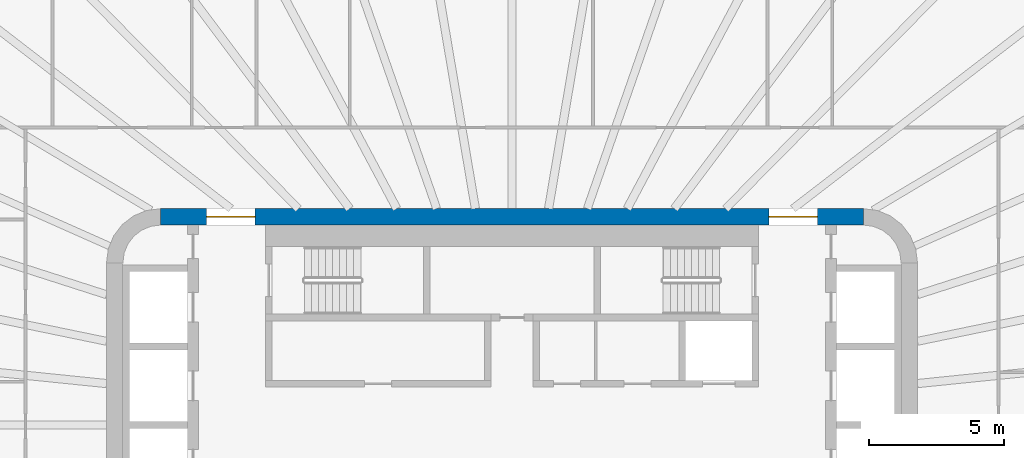
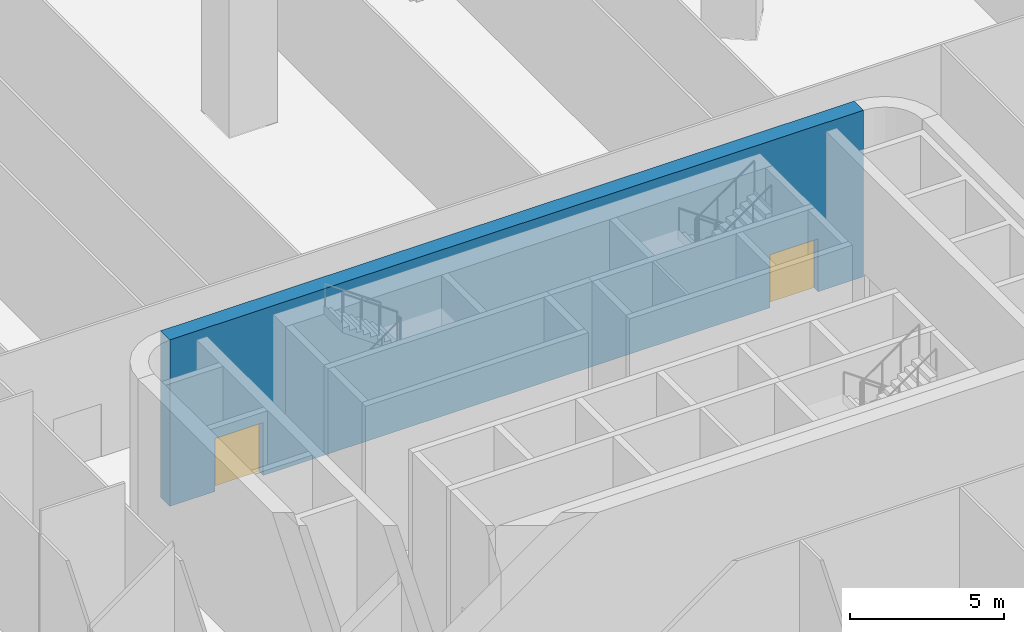
# One storey, part 23 of 33: 2 doors, 1 wall, 2 openings.
"""IFC4 building model written with IfcOpenShell, lengths in metres."""

from ifc_helpers import new_model, si_unit, direction, frame, frame_2d, origin, place, context, subcontext, project, spatial, rectangle, extrude, material, layer, layer_set, type_object, element, fill, save


model = new_model("IFC4")

# Units and contexts
model_context = context("Model", 3, precision=1e-05, world=origin(), true_north=direction((0.0, 1.0)))
body_context = subcontext(model_context, "Body", "Model", "MODEL_VIEW")
ifc_project = project(units=[si_unit("LENGTHUNIT", "METRE"), si_unit("AREAUNIT", "SQUARE_METRE"), si_unit("VOLUMEUNIT", "CUBIC_METRE"), si_unit("PLANEANGLEUNIT", "RADIAN"), si_unit("MASSUNIT", "GRAM", prefix="KILO")], contexts=[model_context])

# Site, building, storey
site_placement = place(None, origin())
site = spatial("IfcSite", under=ifc_project, at=site_placement, CompositionType="ELEMENT")
building_placement = place(site_placement, origin())
building = spatial("IfcBuilding", under=site, at=building_placement, Name="Sahrelin Media Tower", CompositionType="ELEMENT")
storey_placement = place(building_placement, frame((0.0, 0.0, 37.39990234375)))
storey = spatial("IfcBuildingStorey", under=building, at=storey_placement, Name="L05", CompositionType="ELEMENT", Elevation=37.39990234375)

# Wall, openings, doors
ifc_material_1 = material(Name="Concrete C60/75", Category="concrete")
ifc_layer = layer(ifc_material_1, 0.60009765625)
ifc_layer_set = layer_set([ifc_layer], Name="Core wall 600")
wall_type = type_object("IfcWallType", Name="Core wall 600", PredefinedType="SHEAR", material=ifc_layer_set)
wall_placement = place(storey_placement, frame((-13.0, 7.699951171875, 0.0), z_axis=(0.0, 0.0, 1.0), x_axis=(1.0, 0.0, 0.0)))
wall = element("IfcWall", 1, at=wall_placement, inside=storey, type_object=wall_type, Name="Core wall N L05", PredefinedType="SHEAR", context=body_context, shape_type="SweptSolid", body=[
    extrude(rectangle(XDim=26.0, YDim=0.60009765625, at=frame_2d((13.0, 0.0))), origin(), (0.0, 0.0, 1.0), 6.60009765625),
])
opening_1_placement = place(wall_placement, frame((1.699951171875, 0.0, 0.0)))
opening_1 = element("IfcOpeningElement", 2, at=opening_1_placement, cuts=wall, Name="Opening L05-D15", PredefinedType="OPENING", context=body_context, shape_type="SweptSolid", body=[
    extrude(rectangle(XDim=1.800048828125, YDim=2.10009765625, at=frame_2d((0.89990234375, 1.050048828125))), frame((0.0, 0.300048828125, 0.0), z_axis=(0.0, -1.0, 0.0), x_axis=(1.0, 0.0, 0.0)), (0.0, 0.0, 1.0), 0.60009765625),
])
opening_2_placement = place(wall_placement, frame((22.5, 0.0, 0.0)))
opening_2 = element("IfcOpeningElement", 3, at=opening_2_placement, cuts=wall, Name="Opening L05-D16", PredefinedType="OPENING", context=body_context, shape_type="SweptSolid", body=[
    extrude(rectangle(XDim=1.800048828125, YDim=2.10009765625, at=frame_2d((0.89990234375, 1.050048828125))), frame((0.0, 0.300048828125, 0.0), z_axis=(0.0, -1.0, 0.0), x_axis=(1.0, 0.0, 0.0)), (0.0, 0.0, 1.0), 0.60009765625),
])
ifc_material_2 = material(Name="Steel fire door leaf", Category="steel")
door_type = type_object("IfcDoorType", Name="Lobby double door 1800 x 2100 EI 60", OperationType="DOUBLE_DOOR_SINGLE_SWING", PredefinedType="DOOR", material=ifc_material_2)
door_1_placement = place(opening_1_placement, origin())
door_1 = element("IfcDoor", 4, at=door_1_placement, inside=storey, type_object=door_type, Name="Lobby door", OperationType="DOUBLE_DOOR_SINGLE_SWING", OverallHeight=2.10009765625, OverallWidth=1.800048828125, PredefinedType="DOOR", context=body_context, shape_type="SweptSolid", body=[
    extrude(rectangle(XDim=1.800048828125, YDim=2.10009765625, at=frame_2d((0.89990234375, 1.050048828125))), frame((0.0, 0.02490234375, 0.0), z_axis=(0.0, -1.0, 0.0), x_axis=(1.0, 0.0, 0.0)), (0.0, 0.0, 1.0), 0.050048828125),
])
fill(opening_1, door_1)
door_2_placement = place(opening_2_placement, origin())
door_2 = element("IfcDoor", 5, at=door_2_placement, inside=storey, type_object=door_type, Name="Lobby door", OperationType="DOUBLE_DOOR_SINGLE_SWING", OverallHeight=2.10009765625, OverallWidth=1.800048828125, PredefinedType="DOOR", context=body_context, shape_type="SweptSolid", body=[
    extrude(rectangle(XDim=1.800048828125, YDim=2.10009765625, at=frame_2d((0.89990234375, 1.050048828125))), frame((0.0, 0.02490234375, 0.0), z_axis=(0.0, -1.0, 0.0), x_axis=(1.0, 0.0, 0.0)), (0.0, 0.0, 1.0), 0.050048828125),
])
fill(opening_2, door_2)

save(model, "model.ifc")
